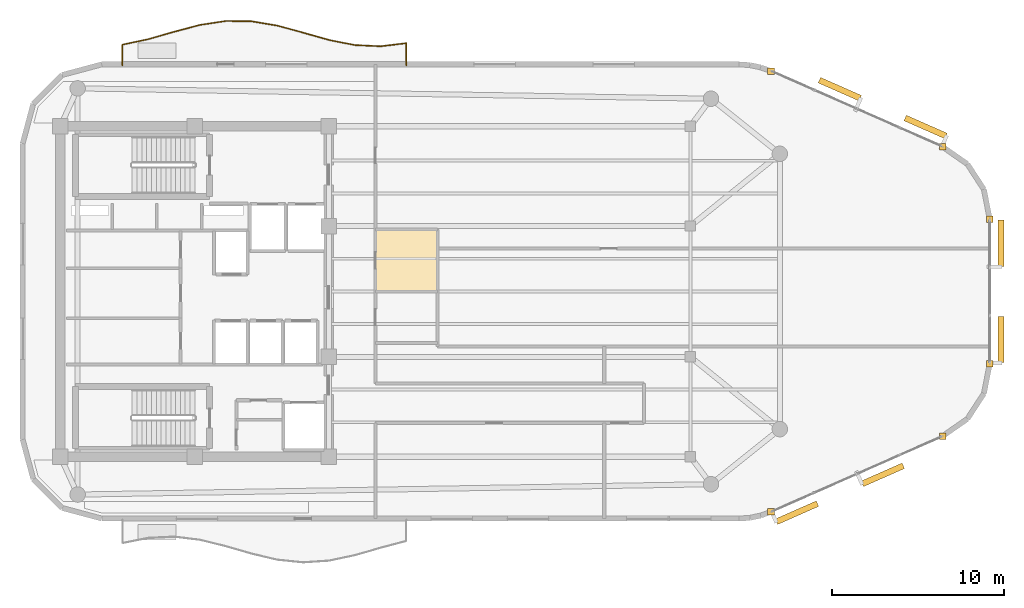
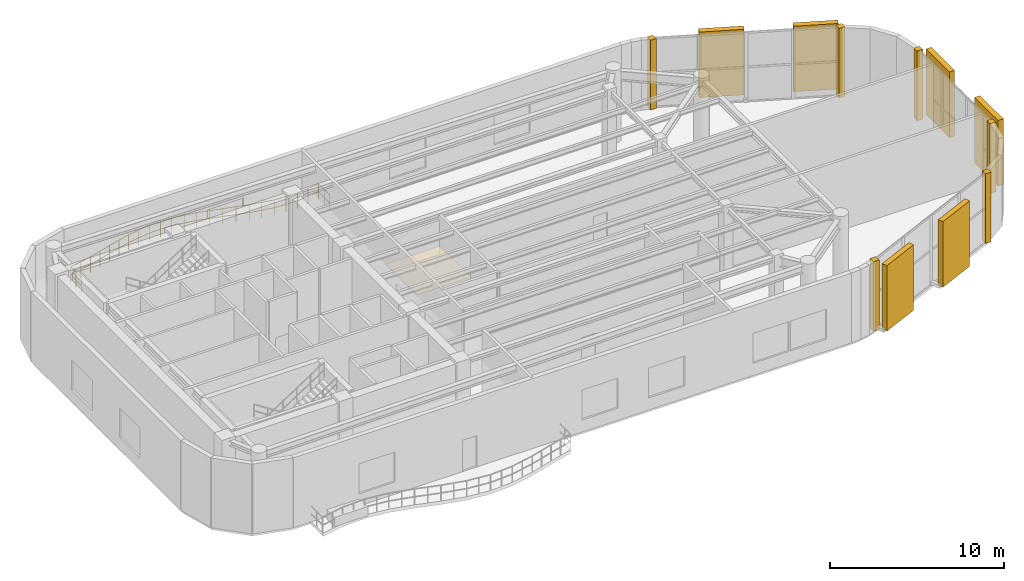
# One storey, part 12 of 12: 7 coverings, 6 shading devices, 1 railing.
"""IFC4 building model written with IfcOpenShell, lengths in metres."""

from ifc_helpers import new_model, si_unit, direction, frame, origin, origin_2d, place, context, subcontext, project, spatial, polyline, rectangle, circle, outline, extrude, material, layer, layer_set, type_object, element, save


model = new_model("IFC4")

# Units and contexts
model_context = context("Model", 3, precision=1e-05, world=origin(), true_north=direction((0.0, 1.0)))
body_context = subcontext(model_context, "Body", "Model", "MODEL_VIEW")
ifc_project = project(units=[si_unit("LENGTHUNIT", "METRE"), si_unit("AREAUNIT", "SQUARE_METRE"), si_unit("VOLUMEUNIT", "CUBIC_METRE"), si_unit("PLANEANGLEUNIT", "RADIAN"), si_unit("MASSUNIT", "GRAM", prefix="KILO")], contexts=[model_context])

# Site, building, storey
site_placement = place(None, origin())
site = spatial("IfcSite", under=ifc_project, at=site_placement, CompositionType="ELEMENT")
building_placement = place(site_placement, origin())
building = spatial("IfcBuilding", under=site, at=building_placement, Name="An Khanh Terracotta Commons", CompositionType="ELEMENT")
storey_placement = place(building_placement, frame((0.0, 0.0, 253.699951171875)))
storey = spatial("IfcBuildingStorey", under=building, at=storey_placement, Name="L66", CompositionType="ELEMENT", Elevation=253.699951171875)

# Coverings
ifc_material_1 = material(Name="Perforated Mineral-Fibre Acoustic Tile")
ifc_layer_1 = layer(ifc_material_1, 0.02001953125, Name="Perforated Mineral-Fibre Acoustic Tile")
ifc_layer_set_1 = layer_set([ifc_layer_1], Name="Perforated Mineral-Fibre Acoustic Tile")
covering_type_1 = type_object("IfcCoveringType", Name="CEIL-ACOUSTIC-18", PredefinedType="CEILING", material=ifc_layer_set_1)
covering_placement = place(storey_placement, frame((0.0, 0.0, 2.650146484375)))
element("IfcCovering", 1, at=covering_placement, inside=storey, type_object=covering_type_1, Name="L66 Sky Lobby Public Restrooms Ceiling", PredefinedType="CEILING", context=body_context, shape_type="SweptSolid", body=[
    extrude(outline(polyline([(39.89990234375, 27.60009765625), (43.5, 27.60009765625), (43.5, 24.0), (39.89990234375, 24.0), (39.89990234375, 27.60009765625)])), origin(), (0.0, 0.0, 1.0), 0.02001953125),
])
ifc_material_2 = material(Name="Fired Terracotta Rainscreen Cladding", Category="masonry")
ifc_layer_2 = layer(ifc_material_2, 0.080078125, Name="Fired Terracotta Rainscreen Cladding")
ifc_layer_set_2 = layer_set([ifc_layer_2], Name="Fired Terracotta Rainscreen Cladding")
covering_type_2 = type_object("IfcCoveringType", Name="COV-JAMB-TERRA", PredefinedType="CLADDING", material=ifc_layer_set_2)
for number, where, z_axis, x_axis, name in (
    (2, (62.886962890625, 11.19091796875, 0.0), (0.0, 0.0, 1.0), (1.0, 0.0, 0.0), "L66 CW-04 Curtain-Wall Jamb Closure JA"),
    (3, (72.85693359375, 15.590087890625, 0.0), (0.0, 0.0, 1.0), (1.0, 0.0, 0.0), "L66 CW-04 Curtain-Wall Jamb Closure JB"),
    (4, (75.60009765625, 19.798095703125, 0.0), (0.0, 0.0, 1.0), (1.0, 0.0, 0.0), "L66 CW-04 Curtain-Wall Jamb Closure JA"),
    (5, (75.60009765625, 28.201904296875, 0.0), (0.0, 0.0, 1.0), (1.0, 0.0, 0.0), "L66 CW-04 Curtain-Wall Jamb Closure JB"),
    (6, (72.85693359375, 32.409912109375, 0.0), (0.0, 0.0, 1.0), (1.0, 0.0, 0.0), "L66 CW-04 Curtain-Wall Jamb Closure JA"),
    (7, (62.886962890625, 36.80908203125, 0.0), (0.0, 0.0, 1.0), (1.0, 0.0, 0.0), "L66 CW-04 Curtain-Wall Jamb Closure JB"),
):
    element("IfcCovering", number, at=place(storey_placement, frame(where, z_axis=z_axis, x_axis=x_axis)), inside=storey, type_object=covering_type_2, Name=name, PredefinedType="CLADDING", context=body_context, shape_type="SweptSolid", body=[
        extrude(rectangle(XDim=0.3798828125, YDim=0.3798828125, at=origin_2d()), origin(), (0.0, 0.0, 1.0), 4.89990234375),
    ])

# Railing
ifc_material_3 = material(Name="Brushed Stainless Steel 316", Category="steel")
railing_type = type_object("IfcRailingType", Name="RAIL-BALUSTRADE-1100", PredefinedType="BALUSTRADE", material=ifc_material_3)
railing_placement = place(storey_placement, frame((41.699951171875, 37.139892578125, 0.0)))
element("IfcRailing", 8, at=railing_placement, inside=storey, type_object=railing_type, Name="L66 N Wave Balcony Guard Balustrade", PredefinedType="BALUSTRADE", context=body_context, shape_type="SweptSolid", body=[
    extrude(circle(Radius=0.02392578125, at=origin_2d()), frame((0.0, 0.0, 1.076171875), z_axis=(0.0, 1.0, 0.0), x_axis=(-1.0, 0.0, 0.0)), (0.0, 0.0, 1.0), 1.2861328125),
    extrude(circle(Radius=0.02392578125, at=origin_2d()), frame((0.0, 0.0, 0.52587890625), z_axis=(0.0, 1.0, 0.0), x_axis=(-1.0, 0.0, 0.0)), (0.0, 0.0, 1.0), 1.2861328125),
    extrude(circle(Radius=0.02392578125, at=origin_2d()), frame((0.0, 1.2861328125, 1.076171875), z_axis=(-0.99288219023, -0.11910061429, 0.0), x_axis=(0.11910061429, -0.99288219023, 0.0)), (0.0, 0.0, 1.0), 1.5107421875),
    extrude(circle(Radius=0.02392578125, at=origin_2d()), frame((0.0, 1.2861328125, 0.52587890625), z_axis=(-0.99288219023, -0.11910061429, 0.0), x_axis=(0.11910061429, -0.99288219023, 0.0)), (0.0, 0.0, 1.0), 1.5107421875),
    extrude(circle(Radius=0.02392578125, at=origin_2d()), frame((-1.5, 1.106201171875, 1.076171875), z_axis=(-0.998887913276, 0.047148029761, 0.0), x_axis=(-0.047148029761, -0.998887913276, 0.0)), (0.0, 0.0, 1.0), 1.501708984375),
    extrude(circle(Radius=0.02392578125, at=origin_2d()), frame((-1.5, 1.106201171875, 0.52587890625), z_axis=(-0.998887913276, 0.047148029761, 0.0), x_axis=(-0.047148029761, -0.998887913276, 0.0)), (0.0, 0.0, 1.0), 1.501708984375),
    extrude(circle(Radius=0.02392578125, at=origin_2d()), frame((-3.0, 1.177001953125, 1.076171875), z_axis=(-0.980819402607, 0.194918699639, 0.0), x_axis=(-0.194918699639, -0.980819402607, 0.0)), (0.0, 0.0, 1.0), 1.529296875),
    extrude(circle(Radius=0.02392578125, at=origin_2d()), frame((-3.0, 1.177001953125, 0.52587890625), z_axis=(-0.980819402607, 0.194918699639, 0.0), x_axis=(-0.194918699639, -0.980819402607, 0.0)), (0.0, 0.0, 1.0), 1.529296875),
    extrude(circle(Radius=0.02392578125, at=origin_2d()), frame((-4.5, 1.47509765625, 1.076171875), z_axis=(-0.962282666556, 0.272051593719, 0.0), x_axis=(-0.272051593719, -0.962282666556, 0.0)), (0.0, 0.0, 1.0), 1.558837890625),
    extrude(circle(Radius=0.02392578125, at=origin_2d()), frame((-4.5, 1.47509765625, 0.52587890625), z_axis=(-0.962282666556, 0.272051593719, 0.0), x_axis=(-0.272051593719, -0.962282666556, 0.0)), (0.0, 0.0, 1.0), 1.558837890625),
    extrude(circle(Radius=0.02392578125, at=origin_2d()), frame((-6.0, 1.899169921875, 1.076171875), z_axis=(-0.964948425307, 0.262439586375, 0.0), x_axis=(-0.262439586375, -0.964948425307, 0.0)), (0.0, 0.0, 1.0), 1.554443359375),
    extrude(circle(Radius=0.02392578125, at=origin_2d()), frame((-6.0, 1.899169921875, 0.52587890625), z_axis=(-0.964948425307, 0.262439586375, 0.0), x_axis=(-0.262439586375, -0.964948425307, 0.0)), (0.0, 0.0, 1.0), 1.554443359375),
    extrude(circle(Radius=0.02392578125, at=origin_2d()), frame((-7.5, 2.30712890625, 1.076171875), z_axis=(-0.986079829755, 0.16627257546, 0.0), x_axis=(-0.16627257546, -0.986079829755, 0.0)), (0.0, 0.0, 1.0), 1.521240234375),
    extrude(circle(Radius=0.02392578125, at=origin_2d()), frame((-7.5, 2.30712890625, 0.52587890625), z_axis=(-0.986079829755, 0.16627257546, 0.0), x_axis=(-0.16627257546, -0.986079829755, 0.0)), (0.0, 0.0, 1.0), 1.521240234375),
    extrude(circle(Radius=0.02392578125, at=origin_2d()), frame((-9.0, 2.56005859375, 1.076171875), z_axis=(-0.999955445195, 0.009439683565, 0.0), x_axis=(-0.009439683565, -0.999955445195, 0.0)), (0.0, 0.0, 1.0), 1.5),
    extrude(circle(Radius=0.02392578125, at=origin_2d()), frame((-9.0, 2.56005859375, 0.52587890625), z_axis=(-0.999955445195, 0.009439683565, 0.0), x_axis=(-0.009439683565, -0.999955445195, 0.0)), (0.0, 0.0, 1.0), 1.5),
    extrude(circle(Radius=0.02392578125, at=origin_2d()), frame((-10.5, 2.57421875, 1.076171875), z_axis=(-0.988545890906, -0.15092058035, 0.0), x_axis=(0.15092058035, -0.988545890906, 0.0)), (0.0, 0.0, 1.0), 1.517333984375),
    extrude(circle(Radius=0.02392578125, at=origin_2d()), frame((-10.5, 2.57421875, 0.52587890625), z_axis=(-0.988545890906, -0.15092058035, 0.0), x_axis=(0.15092058035, -0.988545890906, 0.0)), (0.0, 0.0, 1.0), 1.517333984375),
    extrude(circle(Radius=0.02392578125, at=origin_2d()), frame((-12.0, 2.34521484375, 1.076171875), z_axis=(-0.966680039045, -0.255987699142, 0.0), x_axis=(0.255987699142, -0.966680039045, 0.0)), (0.0, 0.0, 1.0), 1.5517578125),
    extrude(circle(Radius=0.02392578125, at=origin_2d()), frame((-12.0, 2.34521484375, 0.52587890625), z_axis=(-0.966680039045, -0.255987699142, 0.0), x_axis=(0.255987699142, -0.966680039045, 0.0)), (0.0, 0.0, 1.0), 1.5517578125),
    extrude(circle(Radius=0.02392578125, at=origin_2d()), frame((-13.5, 1.947998046875, 1.076171875), z_axis=(-0.961293347262, -0.275526950607, 0.0), x_axis=(0.275526950607, -0.961293347262, 0.0)), (0.0, 0.0, 1.0), 1.560302734375),
    extrude(circle(Radius=0.02392578125, at=origin_2d()), frame((-13.5, 1.947998046875, 0.52587890625), z_axis=(-0.961293347262, -0.275526950607, 0.0), x_axis=(0.275526950607, -0.961293347262, 0.0)), (0.0, 0.0, 1.0), 1.560302734375),
    extrude(circle(Radius=0.02392578125, at=origin_2d()), frame((-15.0, 1.51806640625, 1.076171875), z_axis=(-0.978275241205, -0.207310280607, 0.0), x_axis=(0.207310280607, -0.978275241205, 0.0)), (0.0, 0.0, 1.0), 1.533203125),
    extrude(circle(Radius=0.02392578125, at=origin_2d()), frame((-15.0, 1.51806640625, 0.52587890625), z_axis=(-0.978275241205, -0.207310280607, 0.0), x_axis=(0.207310280607, -0.978275241205, 0.0)), (0.0, 0.0, 1.0), 1.533203125),
    extrude(circle(Radius=0.02392578125, at=origin_2d()), frame((-16.5, 1.2001953125, 1.076171875), z_axis=(0.0, -1.0, 0.0), x_axis=(1.0, 0.0, 0.0)), (0.0, 0.0, 1.0), 1.2001953125),
    extrude(circle(Radius=0.02392578125, at=origin_2d()), frame((-16.5, 1.2001953125, 0.52587890625), z_axis=(0.0, -1.0, 0.0), x_axis=(1.0, 0.0, 0.0)), (0.0, 0.0, 1.0), 1.2001953125),
    extrude(circle(Radius=0.02099609375, at=origin_2d()), origin(), (0.0, 0.0, 1.0), 1.052001953125),
    extrude(circle(Radius=0.02099609375, at=origin_2d()), frame((0.0, 0.64306640625, 0.0)), (0.0, 0.0, 1.0), 1.052001953125),
    extrude(circle(Radius=0.02099609375, at=origin_2d()), frame((0.0, 1.2861328125, 0.0)), (0.0, 0.0, 1.0), 1.052001953125),
    extrude(circle(Radius=0.02099609375, at=origin_2d()), frame((-0.75, 1.1962890625, 0.0)), (0.0, 0.0, 1.0), 1.052001953125),
    extrude(circle(Radius=0.02099609375, at=origin_2d()), frame((-1.5, 1.106201171875, 0.0)), (0.0, 0.0, 1.0), 1.052001953125),
    extrude(circle(Radius=0.02099609375, at=origin_2d()), frame((-2.25, 1.1416015625, 0.0)), (0.0, 0.0, 1.0), 1.052001953125),
    extrude(circle(Radius=0.02099609375, at=origin_2d()), frame((-3.0, 1.177001953125, 0.0)), (0.0, 0.0, 1.0), 1.052001953125),
    extrude(circle(Radius=0.02099609375, at=origin_2d()), frame((-3.75, 1.326171875, 0.0)), (0.0, 0.0, 1.0), 1.052001953125),
    extrude(circle(Radius=0.02099609375, at=origin_2d()), frame((-4.5, 1.47509765625, 0.0)), (0.0, 0.0, 1.0), 1.052001953125),
    extrude(circle(Radius=0.02099609375, at=origin_2d()), frame((-5.25, 1.68701171875, 0.0)), (0.0, 0.0, 1.0), 1.052001953125),
    extrude(circle(Radius=0.02099609375, at=origin_2d()), frame((-6.0, 1.899169921875, 0.0)), (0.0, 0.0, 1.0), 1.052001953125),
    extrude(circle(Radius=0.02099609375, at=origin_2d()), frame((-6.75, 2.10302734375, 0.0)), (0.0, 0.0, 1.0), 1.052001953125),
    extrude(circle(Radius=0.02099609375, at=origin_2d()), frame((-7.5, 2.30712890625, 0.0)), (0.0, 0.0, 1.0), 1.052001953125),
    extrude(circle(Radius=0.02099609375, at=origin_2d()), frame((-8.25, 2.43359375, 0.0)), (0.0, 0.0, 1.0), 1.052001953125),
    extrude(circle(Radius=0.02099609375, at=origin_2d()), frame((-9.0, 2.56005859375, 0.0)), (0.0, 0.0, 1.0), 1.052001953125),
    extrude(circle(Radius=0.02099609375, at=origin_2d()), frame((-9.75, 2.567138671875, 0.0)), (0.0, 0.0, 1.0), 1.052001953125),
    extrude(circle(Radius=0.02099609375, at=origin_2d()), frame((-10.5, 2.57421875, 0.0)), (0.0, 0.0, 1.0), 1.052001953125),
    extrude(circle(Radius=0.02099609375, at=origin_2d()), frame((-11.25, 2.459716796875, 0.0)), (0.0, 0.0, 1.0), 1.052001953125),
    extrude(circle(Radius=0.02099609375, at=origin_2d()), frame((-12.0, 2.34521484375, 0.0)), (0.0, 0.0, 1.0), 1.052001953125),
    extrude(circle(Radius=0.02099609375, at=origin_2d()), frame((-12.75, 2.146484375, 0.0)), (0.0, 0.0, 1.0), 1.052001953125),
    extrude(circle(Radius=0.02099609375, at=origin_2d()), frame((-13.5, 1.947998046875, 0.0)), (0.0, 0.0, 1.0), 1.052001953125),
    extrude(circle(Radius=0.02099609375, at=origin_2d()), frame((-14.25, 1.73291015625, 0.0)), (0.0, 0.0, 1.0), 1.052001953125),
    extrude(circle(Radius=0.02099609375, at=origin_2d()), frame((-15.0, 1.51806640625, 0.0)), (0.0, 0.0, 1.0), 1.052001953125),
    extrude(circle(Radius=0.02099609375, at=origin_2d()), frame((-15.75, 1.359130859375, 0.0)), (0.0, 0.0, 1.0), 1.052001953125),
    extrude(circle(Radius=0.02099609375, at=origin_2d()), frame((-16.5, 1.2001953125, 0.0)), (0.0, 0.0, 1.0), 1.052001953125),
    extrude(circle(Radius=0.02099609375, at=origin_2d()), frame((-16.5, 0.60009765625, 0.0)), (0.0, 0.0, 1.0), 1.052001953125),
    extrude(circle(Radius=0.02099609375, at=origin_2d()), frame((-16.5, 0.0, 0.0)), (0.0, 0.0, 1.0), 1.052001953125),
])

# Shading devices
ifc_material_4 = material(Name="Extruded Fired Terracotta", Category="masonry")
shading_device_type = type_object("IfcShadingDeviceType", Name="Terracotta Baguette Screen Assembly", PredefinedType="USERDEFINED", material=ifc_material_4)
for number, where, z_axis, x_axis, name in (
    (9, (64.39599609375, 11.14599609375, 0.14990234375), (0.0, 0.0, 1.0), (0.914901853201, 0.403676354285, 0.0), "L66 Terracotta Baguette Screen 1"),
    (10, (69.381103515625, 13.345947265625, 0.14990234375), (0.0, 0.0, 1.0), (0.914901853201, 0.403676354285, 0.0), "L66 Terracotta Baguette Screen 3"),
):
    element("IfcShadingDevice", number, at=place(storey_placement, frame(where, z_axis=z_axis, x_axis=x_axis)), inside=storey, type_object=shading_device_type, Name=name, ObjectType="BAGUETTE", PredefinedType="USERDEFINED", context=body_context, shape_type="SweptSolid", body=[
        extrude(rectangle(XDim=2.60400390625, YDim=0.35009765625, at=origin_2d()), origin(), (0.0, 0.0, 1.0), 4.60009765625),
    ])
for number, where, z_axis, x_axis, name in (
    (11, (76.25, 21.198974609375, 0.14990234375), (0.0, 0.0, 1.0), (0.0, 1.0, 0.0), "L66 Terracotta Baguette Screen 1"),
    (12, (76.25, 26.801025390625, 0.14990234375), (0.0, 0.0, 1.0), (0.0, 1.0, 0.0), "L66 Terracotta Baguette Screen 3"),
):
    element("IfcShadingDevice", number, at=place(storey_placement, frame(where, z_axis=z_axis, x_axis=x_axis)), inside=storey, type_object=shading_device_type, Name=name, ObjectType="BAGUETTE", PredefinedType="USERDEFINED", context=body_context, shape_type="SweptSolid", body=[
        extrude(rectangle(XDim=2.680908203125, YDim=0.35009765625, at=origin_2d()), origin(), (0.0, 0.0, 1.0), 4.60009765625),
    ])
for number, where, z_axis, x_axis, name in (
    (13, (71.873046875, 33.554931640625, 0.14990234375), (0.0, 0.0, 1.0), (-0.914901853201, 0.403676354285, 0.0), "L66 Terracotta Baguette Screen 1"),
    (14, (66.887939453125, 35.75390625, 0.14990234375), (0.0, 0.0, 1.0), (-0.914901853201, 0.403676354285, 0.0), "L66 Terracotta Baguette Screen 3"),
):
    element("IfcShadingDevice", number, at=place(storey_placement, frame(where, z_axis=z_axis, x_axis=x_axis)), inside=storey, type_object=shading_device_type, Name=name, ObjectType="BAGUETTE", PredefinedType="USERDEFINED", context=body_context, shape_type="SweptSolid", body=[
        extrude(rectangle(XDim=2.60400390625, YDim=0.35009765625, at=origin_2d()), origin(), (0.0, 0.0, 1.0), 4.60009765625),
    ])

save(model, "model.ifc")
